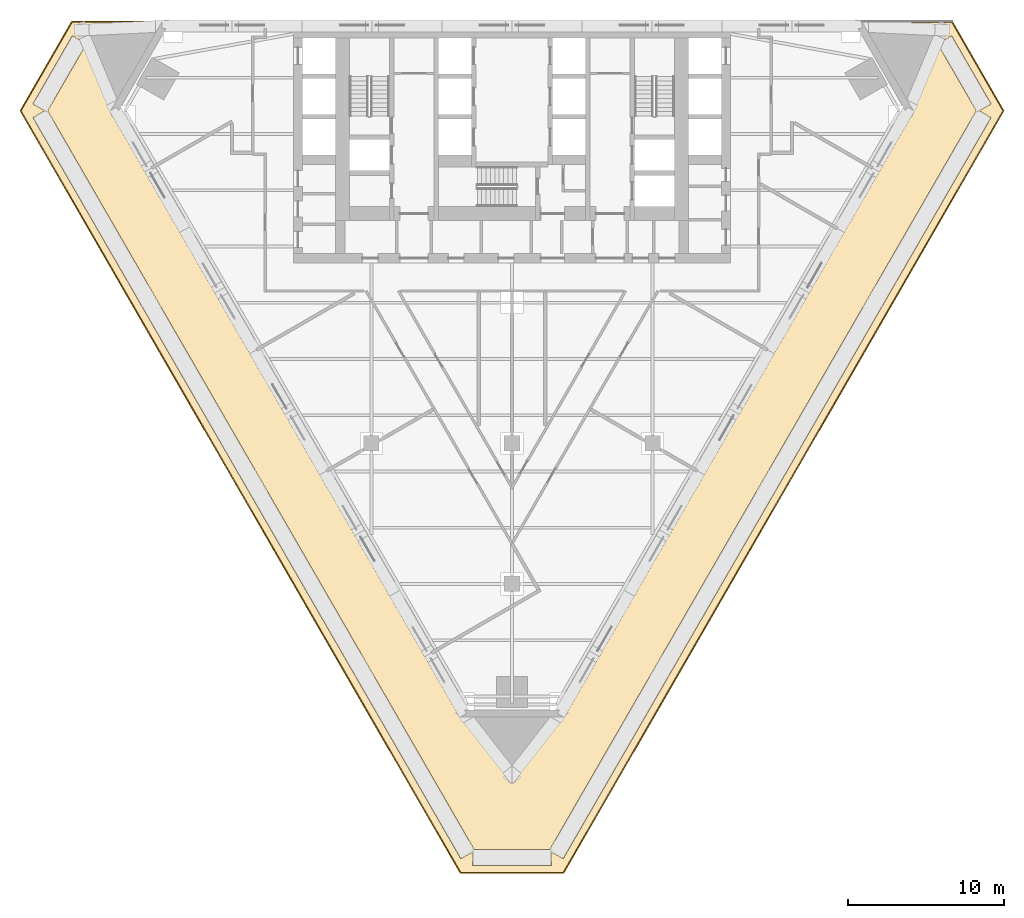
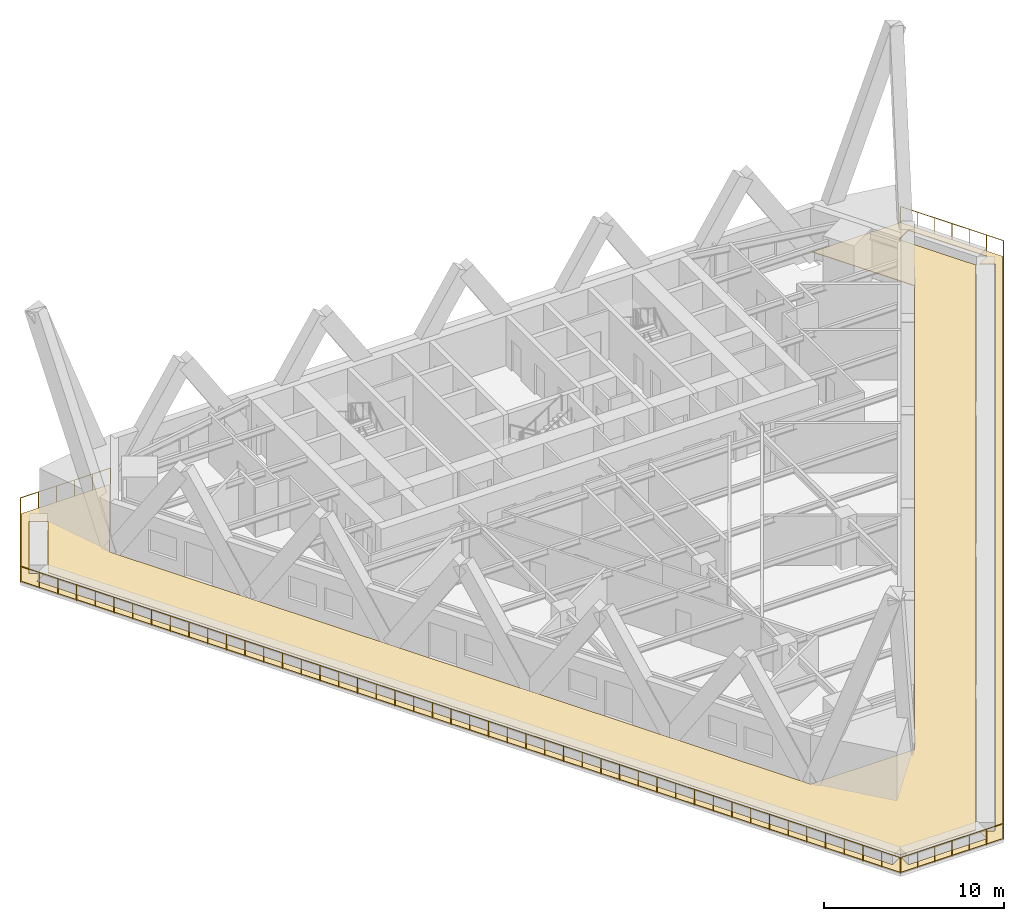
# One storey, part 9 of 11: 1 covering, 1 railing.
"""IFC4 building model written with IfcOpenShell, lengths in metres."""

from ifc_helpers import new_model, si_unit, direction, frame, origin, origin_2d, place, context, subcontext, project, spatial, polyline, circle, outline, extrude, material, layer, layer_set, type_object, element, save


model = new_model("IFC4")

# Units and contexts
model_context = context("Model", 3, precision=1e-05, world=origin(), true_north=direction((0.0, 1.0)))
body_context = subcontext(model_context, "Body", "Model", "MODEL_VIEW")
ifc_project = project(units=[si_unit("LENGTHUNIT", "METRE"), si_unit("AREAUNIT", "SQUARE_METRE"), si_unit("VOLUMEUNIT", "CUBIC_METRE"), si_unit("PLANEANGLEUNIT", "RADIAN"), si_unit("MASSUNIT", "GRAM", prefix="KILO")], contexts=[model_context])

# Site, building, storey
site_placement = place(None, origin())
site = spatial("IfcSite", under=ifc_project, at=site_placement, CompositionType="ELEMENT")
building_placement = place(site_placement, origin())
building = spatial("IfcBuilding", under=site, at=building_placement, Name="Aloe Facet Convention Tower", CompositionType="ELEMENT")
storey_placement = place(building_placement, frame((0.0, 0.0, 35.0)))
storey = spatial("IfcBuildingStorey", under=building, at=storey_placement, Name="L06", CompositionType="ELEMENT", Elevation=35.0)

# Railing
ifc_material_1 = material(Name="Steel S355, bronze oxide finish", Category="steel")
railing_type = type_object("IfcRailingType", Name="EV-GUARD-TERR", PredefinedType="GUARDRAIL", material=ifc_material_1)
railing_placement = place(storey_placement, frame((108.173583984375, 135.0, 0.0)))
element("IfcRailing", 1, at=railing_placement, inside=storey, type_object=railing_type, Name="GUARD PT-L06-1-1", PredefinedType="GUARDRAIL", context=body_context, shape_type="SweptSolid", body=[
    extrude(circle(Radius=0.02392578125, at=origin_2d()), frame((0.0, 0.0, 1.076171875), z_axis=(0.499974350878, -0.866040211805, 0.0), x_axis=(0.866040211805, 0.499974350878, 0.0)), (0.0, 0.0, 1.0), 6.599853515625),
    extrude(circle(Radius=0.02392578125, at=origin_2d()), frame((3.2998046875, -5.7158203125, 1.076171875), z_axis=(-0.499998497363, -0.86602627133, 0.0), x_axis=(0.86602627133, -0.499998497363, 0.0)), (0.0, 0.0, 1.0), 56.346923828125),
    extrude(circle(Radius=0.02392578125, at=origin_2d()), frame((-24.87353515625, -54.513671875, 1.076171875), z_axis=(-1.0, 0.0, 0.0), x_axis=(0.0, -1.0, 0.0)), (0.0, 0.0, 1.0), 6.60009765625),
    extrude(circle(Radius=0.02392578125, at=origin_2d()), frame((-31.4736328125, -54.513671875, 1.076171875), z_axis=(-0.499998497363, 0.86602627133, 0.0), x_axis=(-0.86602627133, -0.499998497363, 0.0)), (0.0, 0.0, 1.0), 56.346923828125),
    extrude(circle(Radius=0.02392578125, at=origin_2d()), frame((-59.64697265625, -5.7158203125, 1.076171875), z_axis=(0.499974350878, 0.866040211805, 0.0), x_axis=(-0.866040211805, 0.499974350878, 0.0)), (0.0, 0.0, 1.0), 6.599853515625),
    extrude(circle(Radius=0.02392578125, at=origin_2d()), frame((-56.34716796875, 0.0, 1.076171875), z_axis=(1.0, 0.0, 0.0), x_axis=(0.0, 1.0, 0.0)), (0.0, 0.0, 1.0), 5.773681640625),
    extrude(circle(Radius=0.02099609375, at=origin_2d()), origin(), (0.0, 0.0, 1.0), 1.052001953125),
    extrude(circle(Radius=0.02099609375, at=origin_2d()), frame((0.550048828125, -0.95263671875, 0.0)), (0.0, 0.0, 1.0), 1.052001953125),
    extrude(circle(Radius=0.02099609375, at=origin_2d()), frame((1.099853515625, -1.9052734375, 0.0)), (0.0, 0.0, 1.0), 1.052001953125),
    extrude(circle(Radius=0.02099609375, at=origin_2d()), frame((1.64990234375, -2.85791015625, 0.0)), (0.0, 0.0, 1.0), 1.052001953125),
    extrude(circle(Radius=0.02099609375, at=origin_2d()), frame((2.199951171875, -3.810546875, 0.0)), (0.0, 0.0, 1.0), 1.052001953125),
    extrude(circle(Radius=0.02099609375, at=origin_2d()), frame((2.749755859375, -4.76318359375, 0.0)), (0.0, 0.0, 1.0), 1.052001953125),
    extrude(circle(Radius=0.02099609375, at=origin_2d()), frame((3.2998046875, -5.7158203125, 0.0)), (0.0, 0.0, 1.0), 1.052001953125),
    extrude(circle(Radius=0.02099609375, at=origin_2d()), frame((2.700439453125, -6.754150390625, 0.0)), (0.0, 0.0, 1.0), 1.052001953125),
    extrude(circle(Radius=0.02099609375, at=origin_2d()), frame((2.100830078125, -7.792236328125, 0.0)), (0.0, 0.0, 1.0), 1.052001953125),
    extrude(circle(Radius=0.02099609375, at=origin_2d()), frame((1.50146484375, -8.83056640625, 0.0)), (0.0, 0.0, 1.0), 1.052001953125),
    extrude(circle(Radius=0.02099609375, at=origin_2d()), frame((0.902099609375, -9.868896484375, 0.0)), (0.0, 0.0, 1.0), 1.052001953125),
    extrude(circle(Radius=0.02099609375, at=origin_2d()), frame((0.302734375, -10.906982421875, 0.0)), (0.0, 0.0, 1.0), 1.052001953125),
    extrude(circle(Radius=0.02099609375, at=origin_2d()), frame((-0.296875, -11.9453125, 0.0)), (0.0, 0.0, 1.0), 1.052001953125),
    extrude(circle(Radius=0.02099609375, at=origin_2d()), frame((-0.896240234375, -12.983642578125, 0.0)), (0.0, 0.0, 1.0), 1.052001953125),
    extrude(circle(Radius=0.02099609375, at=origin_2d()), frame((-1.49560546875, -14.021728515625, 0.0)), (0.0, 0.0, 1.0), 1.052001953125),
    extrude(circle(Radius=0.02099609375, at=origin_2d()), frame((-2.094970703125, -15.06005859375, 0.0)), (0.0, 0.0, 1.0), 1.052001953125),
    extrude(circle(Radius=0.02099609375, at=origin_2d()), frame((-2.694580078125, -16.098388671875, 0.0)), (0.0, 0.0, 1.0), 1.052001953125),
    extrude(circle(Radius=0.02099609375, at=origin_2d()), frame((-3.2939453125, -17.136474609375, 0.0)), (0.0, 0.0, 1.0), 1.052001953125),
    extrude(circle(Radius=0.02099609375, at=origin_2d()), frame((-3.893310546875, -18.1748046875, 0.0)), (0.0, 0.0, 1.0), 1.052001953125),
    extrude(circle(Radius=0.02099609375, at=origin_2d()), frame((-4.492919921875, -19.213134765625, 0.0)), (0.0, 0.0, 1.0), 1.052001953125),
    extrude(circle(Radius=0.02099609375, at=origin_2d()), frame((-5.09228515625, -20.25146484375, 0.0)), (0.0, 0.0, 1.0), 1.052001953125),
    extrude(circle(Radius=0.02099609375, at=origin_2d()), frame((-5.691650390625, -21.28955078125, 0.0)), (0.0, 0.0, 1.0), 1.052001953125),
    extrude(circle(Radius=0.02099609375, at=origin_2d()), frame((-6.291015625, -22.327880859375, 0.0)), (0.0, 0.0, 1.0), 1.052001953125),
    extrude(circle(Radius=0.02099609375, at=origin_2d()), frame((-6.890625, -23.3662109375, 0.0)), (0.0, 0.0, 1.0), 1.052001953125),
    extrude(circle(Radius=0.02099609375, at=origin_2d()), frame((-7.489990234375, -24.404296875, 0.0)), (0.0, 0.0, 1.0), 1.052001953125),
    extrude(circle(Radius=0.02099609375, at=origin_2d()), frame((-8.08935546875, -25.442626953125, 0.0)), (0.0, 0.0, 1.0), 1.052001953125),
    extrude(circle(Radius=0.02099609375, at=origin_2d()), frame((-8.68896484375, -26.48095703125, 0.0)), (0.0, 0.0, 1.0), 1.052001953125),
    extrude(circle(Radius=0.02099609375, at=origin_2d()), frame((-9.288330078125, -27.51904296875, 0.0)), (0.0, 0.0, 1.0), 1.052001953125),
    extrude(circle(Radius=0.02099609375, at=origin_2d()), frame((-9.8876953125, -28.557373046875, 0.0)), (0.0, 0.0, 1.0), 1.052001953125),
    extrude(circle(Radius=0.02099609375, at=origin_2d()), frame((-10.487060546875, -29.595703125, 0.0)), (0.0, 0.0, 1.0), 1.052001953125),
    extrude(circle(Radius=0.02099609375, at=origin_2d()), frame((-11.086669921875, -30.6337890625, 0.0)), (0.0, 0.0, 1.0), 1.052001953125),
    extrude(circle(Radius=0.02099609375, at=origin_2d()), frame((-11.68603515625, -31.672119140625, 0.0)), (0.0, 0.0, 1.0), 1.052001953125),
    extrude(circle(Radius=0.02099609375, at=origin_2d()), frame((-12.285400390625, -32.71044921875, 0.0)), (0.0, 0.0, 1.0), 1.052001953125),
    extrude(circle(Radius=0.02099609375, at=origin_2d()), frame((-12.884765625, -33.74853515625, 0.0)), (0.0, 0.0, 1.0), 1.052001953125),
    extrude(circle(Radius=0.02099609375, at=origin_2d()), frame((-13.484375, -34.786865234375, 0.0)), (0.0, 0.0, 1.0), 1.052001953125),
    extrude(circle(Radius=0.02099609375, at=origin_2d()), frame((-14.083740234375, -35.8251953125, 0.0)), (0.0, 0.0, 1.0), 1.052001953125),
    extrude(circle(Radius=0.02099609375, at=origin_2d()), frame((-14.68310546875, -36.86328125, 0.0)), (0.0, 0.0, 1.0), 1.052001953125),
    extrude(circle(Radius=0.02099609375, at=origin_2d()), frame((-15.28271484375, -37.901611328125, 0.0)), (0.0, 0.0, 1.0), 1.052001953125),
    extrude(circle(Radius=0.02099609375, at=origin_2d()), frame((-15.882080078125, -38.93994140625, 0.0)), (0.0, 0.0, 1.0), 1.052001953125),
    extrude(circle(Radius=0.02099609375, at=origin_2d()), frame((-16.4814453125, -39.97802734375, 0.0)), (0.0, 0.0, 1.0), 1.052001953125),
    extrude(circle(Radius=0.02099609375, at=origin_2d()), frame((-17.080810546875, -41.016357421875, 0.0)), (0.0, 0.0, 1.0), 1.052001953125),
    extrude(circle(Radius=0.02099609375, at=origin_2d()), frame((-17.680419921875, -42.0546875, 0.0)), (0.0, 0.0, 1.0), 1.052001953125),
    extrude(circle(Radius=0.02099609375, at=origin_2d()), frame((-18.27978515625, -43.093017578125, 0.0)), (0.0, 0.0, 1.0), 1.052001953125),
    extrude(circle(Radius=0.02099609375, at=origin_2d()), frame((-18.879150390625, -44.131103515625, 0.0)), (0.0, 0.0, 1.0), 1.052001953125),
    extrude(circle(Radius=0.02099609375, at=origin_2d()), frame((-19.478759765625, -45.16943359375, 0.0)), (0.0, 0.0, 1.0), 1.052001953125),
    extrude(circle(Radius=0.02099609375, at=origin_2d()), frame((-20.078125, -46.207763671875, 0.0)), (0.0, 0.0, 1.0), 1.052001953125),
    extrude(circle(Radius=0.02099609375, at=origin_2d()), frame((-20.677490234375, -47.245849609375, 0.0)), (0.0, 0.0, 1.0), 1.052001953125),
    extrude(circle(Radius=0.02099609375, at=origin_2d()), frame((-21.27685546875, -48.2841796875, 0.0)), (0.0, 0.0, 1.0), 1.052001953125),
    extrude(circle(Radius=0.02099609375, at=origin_2d()), frame((-21.87646484375, -49.322509765625, 0.0)), (0.0, 0.0, 1.0), 1.052001953125),
    extrude(circle(Radius=0.02099609375, at=origin_2d()), frame((-22.475830078125, -50.360595703125, 0.0)), (0.0, 0.0, 1.0), 1.052001953125),
    extrude(circle(Radius=0.02099609375, at=origin_2d()), frame((-23.0751953125, -51.39892578125, 0.0)), (0.0, 0.0, 1.0), 1.052001953125),
    extrude(circle(Radius=0.02099609375, at=origin_2d()), frame((-23.674560546875, -52.437255859375, 0.0)), (0.0, 0.0, 1.0), 1.052001953125),
    extrude(circle(Radius=0.02099609375, at=origin_2d()), frame((-24.274169921875, -53.475341796875, 0.0)), (0.0, 0.0, 1.0), 1.052001953125),
    extrude(circle(Radius=0.02099609375, at=origin_2d()), frame((-24.87353515625, -54.513671875, 0.0)), (0.0, 0.0, 1.0), 1.052001953125),
    extrude(circle(Radius=0.02099609375, at=origin_2d()), frame((-25.9736328125, -54.513671875, 0.0)), (0.0, 0.0, 1.0), 1.052001953125),
    extrude(circle(Radius=0.02099609375, at=origin_2d()), frame((-27.073486328125, -54.513671875, 0.0)), (0.0, 0.0, 1.0), 1.052001953125),
    extrude(circle(Radius=0.02099609375, at=origin_2d()), frame((-28.173583984375, -54.513671875, 0.0)), (0.0, 0.0, 1.0), 1.052001953125),
    extrude(circle(Radius=0.02099609375, at=origin_2d()), frame((-29.273681640625, -54.513671875, 0.0)), (0.0, 0.0, 1.0), 1.052001953125),
    extrude(circle(Radius=0.02099609375, at=origin_2d()), frame((-30.37353515625, -54.513671875, 0.0)), (0.0, 0.0, 1.0), 1.052001953125),
    extrude(circle(Radius=0.02099609375, at=origin_2d()), frame((-31.4736328125, -54.513671875, 0.0)), (0.0, 0.0, 1.0), 1.052001953125),
    extrude(circle(Radius=0.02099609375, at=origin_2d()), frame((-32.072998046875, -53.475341796875, 0.0)), (0.0, 0.0, 1.0), 1.052001953125),
    extrude(circle(Radius=0.02099609375, at=origin_2d()), frame((-32.672607421875, -52.437255859375, 0.0)), (0.0, 0.0, 1.0), 1.052001953125),
    extrude(circle(Radius=0.02099609375, at=origin_2d()), frame((-33.27197265625, -51.39892578125, 0.0)), (0.0, 0.0, 1.0), 1.052001953125),
    extrude(circle(Radius=0.02099609375, at=origin_2d()), frame((-33.871337890625, -50.360595703125, 0.0)), (0.0, 0.0, 1.0), 1.052001953125),
    extrude(circle(Radius=0.02099609375, at=origin_2d()), frame((-34.470703125, -49.322509765625, 0.0)), (0.0, 0.0, 1.0), 1.052001953125),
    extrude(circle(Radius=0.02099609375, at=origin_2d()), frame((-35.0703125, -48.2841796875, 0.0)), (0.0, 0.0, 1.0), 1.052001953125),
    extrude(circle(Radius=0.02099609375, at=origin_2d()), frame((-35.669677734375, -47.245849609375, 0.0)), (0.0, 0.0, 1.0), 1.052001953125),
    extrude(circle(Radius=0.02099609375, at=origin_2d()), frame((-36.26904296875, -46.207763671875, 0.0)), (0.0, 0.0, 1.0), 1.052001953125),
    extrude(circle(Radius=0.02099609375, at=origin_2d()), frame((-36.868408203125, -45.16943359375, 0.0)), (0.0, 0.0, 1.0), 1.052001953125),
    extrude(circle(Radius=0.02099609375, at=origin_2d()), frame((-37.468017578125, -44.131103515625, 0.0)), (0.0, 0.0, 1.0), 1.052001953125),
    extrude(circle(Radius=0.02099609375, at=origin_2d()), frame((-38.0673828125, -43.093017578125, 0.0)), (0.0, 0.0, 1.0), 1.052001953125),
    extrude(circle(Radius=0.02099609375, at=origin_2d()), frame((-38.666748046875, -42.0546875, 0.0)), (0.0, 0.0, 1.0), 1.052001953125),
    extrude(circle(Radius=0.02099609375, at=origin_2d()), frame((-39.266357421875, -41.016357421875, 0.0)), (0.0, 0.0, 1.0), 1.052001953125),
    extrude(circle(Radius=0.02099609375, at=origin_2d()), frame((-39.86572265625, -39.97802734375, 0.0)), (0.0, 0.0, 1.0), 1.052001953125),
    extrude(circle(Radius=0.02099609375, at=origin_2d()), frame((-40.465087890625, -38.93994140625, 0.0)), (0.0, 0.0, 1.0), 1.052001953125),
    extrude(circle(Radius=0.02099609375, at=origin_2d()), frame((-41.064453125, -37.901611328125, 0.0)), (0.0, 0.0, 1.0), 1.052001953125),
    extrude(circle(Radius=0.02099609375, at=origin_2d()), frame((-41.6640625, -36.86328125, 0.0)), (0.0, 0.0, 1.0), 1.052001953125),
    extrude(circle(Radius=0.02099609375, at=origin_2d()), frame((-42.263427734375, -35.8251953125, 0.0)), (0.0, 0.0, 1.0), 1.052001953125),
    extrude(circle(Radius=0.02099609375, at=origin_2d()), frame((-42.86279296875, -34.786865234375, 0.0)), (0.0, 0.0, 1.0), 1.052001953125),
    extrude(circle(Radius=0.02099609375, at=origin_2d()), frame((-43.46240234375, -33.74853515625, 0.0)), (0.0, 0.0, 1.0), 1.052001953125),
    extrude(circle(Radius=0.02099609375, at=origin_2d()), frame((-44.061767578125, -32.71044921875, 0.0)), (0.0, 0.0, 1.0), 1.052001953125),
    extrude(circle(Radius=0.02099609375, at=origin_2d()), frame((-44.6611328125, -31.672119140625, 0.0)), (0.0, 0.0, 1.0), 1.052001953125),
    extrude(circle(Radius=0.02099609375, at=origin_2d()), frame((-45.260498046875, -30.6337890625, 0.0)), (0.0, 0.0, 1.0), 1.052001953125),
    extrude(circle(Radius=0.02099609375, at=origin_2d()), frame((-45.860107421875, -29.595703125, 0.0)), (0.0, 0.0, 1.0), 1.052001953125),
    extrude(circle(Radius=0.02099609375, at=origin_2d()), frame((-46.45947265625, -28.557373046875, 0.0)), (0.0, 0.0, 1.0), 1.052001953125),
    extrude(circle(Radius=0.02099609375, at=origin_2d()), frame((-47.058837890625, -27.51904296875, 0.0)), (0.0, 0.0, 1.0), 1.052001953125),
    extrude(circle(Radius=0.02099609375, at=origin_2d()), frame((-47.658203125, -26.48095703125, 0.0)), (0.0, 0.0, 1.0), 1.052001953125),
    extrude(circle(Radius=0.02099609375, at=origin_2d()), frame((-48.2578125, -25.442626953125, 0.0)), (0.0, 0.0, 1.0), 1.052001953125),
    extrude(circle(Radius=0.02099609375, at=origin_2d()), frame((-48.857177734375, -24.404296875, 0.0)), (0.0, 0.0, 1.0), 1.052001953125),
    extrude(circle(Radius=0.02099609375, at=origin_2d()), frame((-49.45654296875, -23.3662109375, 0.0)), (0.0, 0.0, 1.0), 1.052001953125),
    extrude(circle(Radius=0.02099609375, at=origin_2d()), frame((-50.05615234375, -22.327880859375, 0.0)), (0.0, 0.0, 1.0), 1.052001953125),
    extrude(circle(Radius=0.02099609375, at=origin_2d()), frame((-50.655517578125, -21.28955078125, 0.0)), (0.0, 0.0, 1.0), 1.052001953125),
    extrude(circle(Radius=0.02099609375, at=origin_2d()), frame((-51.2548828125, -20.25146484375, 0.0)), (0.0, 0.0, 1.0), 1.052001953125),
    extrude(circle(Radius=0.02099609375, at=origin_2d()), frame((-51.854248046875, -19.213134765625, 0.0)), (0.0, 0.0, 1.0), 1.052001953125),
    extrude(circle(Radius=0.02099609375, at=origin_2d()), frame((-52.453857421875, -18.1748046875, 0.0)), (0.0, 0.0, 1.0), 1.052001953125),
    extrude(circle(Radius=0.02099609375, at=origin_2d()), frame((-53.05322265625, -17.136474609375, 0.0)), (0.0, 0.0, 1.0), 1.052001953125),
    extrude(circle(Radius=0.02099609375, at=origin_2d()), frame((-53.652587890625, -16.098388671875, 0.0)), (0.0, 0.0, 1.0), 1.052001953125),
    extrude(circle(Radius=0.02099609375, at=origin_2d()), frame((-54.252197265625, -15.06005859375, 0.0)), (0.0, 0.0, 1.0), 1.052001953125),
    extrude(circle(Radius=0.02099609375, at=origin_2d()), frame((-54.8515625, -14.021728515625, 0.0)), (0.0, 0.0, 1.0), 1.052001953125),
    extrude(circle(Radius=0.02099609375, at=origin_2d()), frame((-55.450927734375, -12.983642578125, 0.0)), (0.0, 0.0, 1.0), 1.052001953125),
    extrude(circle(Radius=0.02099609375, at=origin_2d()), frame((-56.05029296875, -11.9453125, 0.0)), (0.0, 0.0, 1.0), 1.052001953125),
    extrude(circle(Radius=0.02099609375, at=origin_2d()), frame((-56.64990234375, -10.906982421875, 0.0)), (0.0, 0.0, 1.0), 1.052001953125),
    extrude(circle(Radius=0.02099609375, at=origin_2d()), frame((-57.249267578125, -9.868896484375, 0.0)), (0.0, 0.0, 1.0), 1.052001953125),
    extrude(circle(Radius=0.02099609375, at=origin_2d()), frame((-57.8486328125, -8.83056640625, 0.0)), (0.0, 0.0, 1.0), 1.052001953125),
    extrude(circle(Radius=0.02099609375, at=origin_2d()), frame((-58.447998046875, -7.792236328125, 0.0)), (0.0, 0.0, 1.0), 1.052001953125),
    extrude(circle(Radius=0.02099609375, at=origin_2d()), frame((-59.047607421875, -6.754150390625, 0.0)), (0.0, 0.0, 1.0), 1.052001953125),
    extrude(circle(Radius=0.02099609375, at=origin_2d()), frame((-59.64697265625, -5.7158203125, 0.0)), (0.0, 0.0, 1.0), 1.052001953125),
    extrude(circle(Radius=0.02099609375, at=origin_2d()), frame((-59.096923828125, -4.76318359375, 0.0)), (0.0, 0.0, 1.0), 1.052001953125),
    extrude(circle(Radius=0.02099609375, at=origin_2d()), frame((-58.547119140625, -3.810546875, 0.0)), (0.0, 0.0, 1.0), 1.052001953125),
    extrude(circle(Radius=0.02099609375, at=origin_2d()), frame((-57.9970703125, -2.85791015625, 0.0)), (0.0, 0.0, 1.0), 1.052001953125),
    extrude(circle(Radius=0.02099609375, at=origin_2d()), frame((-57.447021484375, -1.9052734375, 0.0)), (0.0, 0.0, 1.0), 1.052001953125),
    extrude(circle(Radius=0.02099609375, at=origin_2d()), frame((-56.897216796875, -0.95263671875, 0.0)), (0.0, 0.0, 1.0), 1.052001953125),
    extrude(circle(Radius=0.02099609375, at=origin_2d()), frame((-56.34716796875, 0.0, 0.0)), (0.0, 0.0, 1.0), 1.052001953125),
    extrude(circle(Radius=0.02099609375, at=origin_2d()), frame((-55.1923828125, 0.0, 0.0)), (0.0, 0.0, 1.0), 1.052001953125),
    extrude(circle(Radius=0.02099609375, at=origin_2d()), frame((-54.03759765625, 0.0, 0.0)), (0.0, 0.0, 1.0), 1.052001953125),
    extrude(circle(Radius=0.02099609375, at=origin_2d()), frame((-52.883056640625, 0.0, 0.0)), (0.0, 0.0, 1.0), 1.052001953125),
    extrude(circle(Radius=0.02099609375, at=origin_2d()), frame((-51.728271484375, 0.0, 0.0)), (0.0, 0.0, 1.0), 1.052001953125),
    extrude(circle(Radius=0.02099609375, at=origin_2d()), frame((-50.573486328125, 0.0, 0.0)), (0.0, 0.0, 1.0), 1.052001953125),
])

# Covering
ifc_material_2 = material(Name="Granite paving, bedded", Category="masonry")
ifc_layer = layer(ifc_material_2, 0.0400390625)
ifc_layer_set = layer_set([ifc_layer], Name="EV-PAVING")
covering_type = type_object("IfcCoveringType", Name="EV-PAVING", PredefinedType="FLOORING", material=ifc_layer_set)
covering_placement = place(storey_placement, origin())
element("IfcCovering", 2, at=covering_placement, inside=storey, type_object=covering_type, Name="PAVING PT-L06-1-1", PredefinedType="FLOORING", context=body_context, shape_type="SweptSolid", body=[
    extrude(outline(polyline([(111.415771484375, 129.2841796875), (83.271240234375, 80.536376953125), (76.728759765625, 80.536376953125), (48.584228515625, 129.2841796875), (51.85546875, 134.949951171875), (57.513427734375, 134.949951171875), (54.256591796875, 129.309326171875), (54.254638671875, 129.304931640625), (54.252685546875, 129.300537109375), (54.25146484375, 129.2958984375), (54.25048828125, 129.291259765625), (54.25, 129.28662109375), (54.25, 129.28173828125), (54.25048828125, 129.277099609375), (54.25146484375, 129.2724609375), (54.252685546875, 129.267822265625), (54.254638671875, 129.263427734375), (54.256591796875, 129.25927734375), (76.65673828125, 90.461181640625), (76.6591796875, 90.457275390625), (76.662109375, 90.45361328125), (76.66552734375, 90.4501953125), (76.669189453125, 90.447021484375), (76.6728515625, 90.4443359375), (76.677001953125, 90.44189453125), (76.681396484375, 90.43994140625), (76.68603515625, 90.438232421875), (76.6904296875, 90.437255859375), (76.6953125, 90.4365234375), (76.699951171875, 90.436279296875), (83.300048828125, 90.436279296875), (83.3046875, 90.4365234375), (83.3095703125, 90.437255859375), (83.31396484375, 90.438232421875), (83.318603515625, 90.43994140625), (83.322998046875, 90.44189453125), (83.3271484375, 90.4443359375), (83.330810546875, 90.447021484375), (83.33447265625, 90.4501953125), (83.337890625, 90.45361328125), (83.3408203125, 90.457275390625), (83.34326171875, 90.461181640625), (105.743408203125, 129.25927734375), (105.745361328125, 129.263427734375), (105.747314453125, 129.267822265625), (105.74853515625, 129.2724609375), (105.74951171875, 129.277099609375), (105.75, 129.28173828125), (105.75, 129.28662109375), (105.74951171875, 129.291259765625), (105.74853515625, 129.2958984375), (105.747314453125, 129.300537109375), (105.745361328125, 129.304931640625), (105.743408203125, 129.309326171875), (102.486572265625, 134.949951171875), (108.14453125, 134.949951171875), (111.415771484375, 129.2841796875)]), holes=[polyline([(77.47998046875, 81.83740234375), (77.47998046875, 80.986328125), (77.47998046875, 80.984375), (77.48046875, 80.982421875), (77.48095703125, 80.98046875), (77.4814453125, 80.978759765625), (77.482421875, 80.976806640625), (77.4833984375, 80.97509765625), (77.484619140625, 80.9736328125), (77.48583984375, 80.97216796875), (77.4873046875, 80.970947265625), (77.48876953125, 80.9697265625), (77.490478515625, 80.96875), (77.492431640625, 80.9677734375), (77.494140625, 80.967041015625), (77.49609375, 80.966796875), (77.498046875, 80.96630859375), (77.5, 80.96630859375), (82.5, 80.96630859375), (82.501953125, 80.96630859375), (82.50390625, 80.966796875), (82.505859375, 80.967041015625), (82.507568359375, 80.9677734375), (82.509521484375, 80.96875), (82.51123046875, 80.9697265625), (82.5126953125, 80.970947265625), (82.51416015625, 80.97216796875), (82.515380859375, 80.9736328125), (82.5166015625, 80.97509765625), (82.517578125, 80.976806640625), (82.5185546875, 80.978759765625), (82.51904296875, 80.98046875), (82.51953125, 80.982421875), (82.52001953125, 80.984375), (82.52001953125, 80.986328125), (82.52001953125, 81.83740234375), (83.257080078125, 81.411865234375), (83.2587890625, 81.410888671875), (83.260498046875, 81.41015625), (83.262451171875, 81.40966796875), (83.264404296875, 81.4091796875), (83.266357421875, 81.4091796875), (83.268310546875, 81.4091796875), (83.270263671875, 81.409423828125), (83.272216796875, 81.409912109375), (83.27392578125, 81.410400390625), (83.27587890625, 81.4111328125), (83.277587890625, 81.412109375), (83.279052734375, 81.413330078125), (83.28076171875, 81.41455078125), (83.281982421875, 81.416015625), (83.283203125, 81.41748046875), (83.284423828125, 81.419189453125), (110.65771484375, 128.831298828125), (110.65869140625, 128.833251953125), (110.659423828125, 128.8349609375), (110.659912109375, 128.8369140625), (110.660400390625, 128.8388671875), (110.660400390625, 128.8408203125), (110.660400390625, 128.8427734375), (110.66015625, 128.8447265625), (110.659912109375, 128.8466796875), (110.6591796875, 128.848388671875), (110.658447265625, 128.850341796875), (110.657470703125, 128.85205078125), (110.65625, 128.853515625), (110.655029296875, 128.85498046875), (110.653564453125, 128.8564453125), (110.652099609375, 128.857666015625), (110.650390625, 128.858642578125), (109.91357421875, 129.2841796875), (110.650390625, 129.709716796875), (110.652099609375, 129.710693359375), (110.653564453125, 129.7119140625), (110.655029296875, 129.71337890625), (110.65625, 129.71484375), (110.657470703125, 129.716552734375), (110.658447265625, 129.71826171875), (110.6591796875, 129.719970703125), (110.659912109375, 129.721923828125), (110.66015625, 129.723876953125), (110.660400390625, 129.725830078125), (110.660400390625, 129.727783203125), (110.660400390625, 129.729736328125), (110.659912109375, 129.731689453125), (110.659423828125, 129.7333984375), (110.65869140625, 129.7353515625), (110.65771484375, 129.737060546875), (108.15771484375, 134.067138671875), (108.15673828125, 134.06884765625), (108.155517578125, 134.0703125), (108.154052734375, 134.07177734375), (108.152587890625, 134.072998046875), (108.151123046875, 134.07421875), (108.1494140625, 134.0751953125), (108.1474609375, 134.075927734375), (108.145751953125, 134.076416015625), (108.143798828125, 134.076904296875), (108.141845703125, 134.0771484375), (108.139892578125, 134.0771484375), (108.137939453125, 134.076904296875), (108.135986328125, 134.07666015625), (108.134033203125, 134.076171875), (108.13232421875, 134.075439453125), (108.13037109375, 134.074462890625), (107.264404296875, 133.574462890625), (107.2626953125, 133.573486328125), (107.26123046875, 133.572265625), (107.259765625, 133.57080078125), (107.258544921875, 133.5693359375), (107.257568359375, 133.567626953125), (107.256591796875, 133.56591796875), (107.255859375, 133.564208984375), (107.255126953125, 133.562255859375), (107.254638671875, 133.560546875), (107.25439453125, 133.55859375), (107.25439453125, 133.556640625), (107.254638671875, 133.5546875), (107.2548828125, 133.552734375), (107.255615234375, 133.55078125), (107.25634765625, 133.548828125), (107.257080078125, 133.547119140625), (109.71826171875, 129.2841796875), (82.42236328125, 82.00634765625), (77.57763671875, 82.00634765625), (50.28173828125, 129.2841796875), (52.742919921875, 133.547119140625), (52.74365234375, 133.548828125), (52.744384765625, 133.55078125), (52.7451171875, 133.552734375), (52.745361328125, 133.5546875), (52.74560546875, 133.556640625), (52.74560546875, 133.55859375), (52.745361328125, 133.560546875), (52.744873046875, 133.562255859375), (52.744140625, 133.564208984375), (52.743408203125, 133.56591796875), (52.742431640625, 133.567626953125), (52.741455078125, 133.5693359375), (52.740234375, 133.57080078125), (52.73876953125, 133.572265625), (52.7373046875, 133.573486328125), (52.735595703125, 133.574462890625), (51.86962890625, 134.074462890625), (51.86767578125, 134.075439453125), (51.865966796875, 134.076171875), (51.864013671875, 134.07666015625), (51.862060546875, 134.076904296875), (51.860107421875, 134.0771484375), (51.858154296875, 134.0771484375), (51.856201171875, 134.076904296875), (51.854248046875, 134.076416015625), (51.8525390625, 134.075927734375), (51.8505859375, 134.0751953125), (51.848876953125, 134.07421875), (51.847412109375, 134.072998046875), (51.845947265625, 134.07177734375), (51.844482421875, 134.0703125), (51.84326171875, 134.06884765625), (51.84228515625, 134.067138671875), (49.34228515625, 129.737060546875), (49.34130859375, 129.7353515625), (49.340576171875, 129.7333984375), (49.340087890625, 129.731689453125), (49.339599609375, 129.729736328125), (49.339599609375, 129.727783203125), (49.339599609375, 129.725830078125), (49.33984375, 129.723876953125), (49.340087890625, 129.721923828125), (49.3408203125, 129.719970703125), (49.341552734375, 129.71826171875), (49.342529296875, 129.716552734375), (49.34375, 129.71484375), (49.344970703125, 129.71337890625), (49.346435546875, 129.7119140625), (49.347900390625, 129.710693359375), (49.349609375, 129.709716796875), (50.08642578125, 129.2841796875), (49.349609375, 128.858642578125), (49.347900390625, 128.857666015625), (49.346435546875, 128.8564453125), (49.344970703125, 128.85498046875), (49.34375, 128.853515625), (49.342529296875, 128.85205078125), (49.341552734375, 128.850341796875), (49.3408203125, 128.848388671875), (49.340087890625, 128.8466796875), (49.33984375, 128.8447265625), (49.339599609375, 128.8427734375), (49.339599609375, 128.8408203125), (49.339599609375, 128.8388671875), (49.340087890625, 128.8369140625), (49.340576171875, 128.8349609375), (49.34130859375, 128.833251953125), (49.34228515625, 128.831298828125), (76.715576171875, 81.419189453125), (76.716796875, 81.41748046875), (76.718017578125, 81.416015625), (76.71923828125, 81.41455078125), (76.720947265625, 81.413330078125), (76.722412109375, 81.412109375), (76.72412109375, 81.4111328125), (76.72607421875, 81.410400390625), (76.727783203125, 81.409912109375), (76.729736328125, 81.409423828125), (76.731689453125, 81.4091796875), (76.733642578125, 81.4091796875), (76.735595703125, 81.4091796875), (76.737548828125, 81.40966796875), (76.739501953125, 81.41015625), (76.7412109375, 81.410888671875), (76.742919921875, 81.411865234375), (77.47998046875, 81.83740234375)])]), origin(), (0.0, 0.0, 1.0), 0.0400390625),
])

save(model, "model.ifc")
